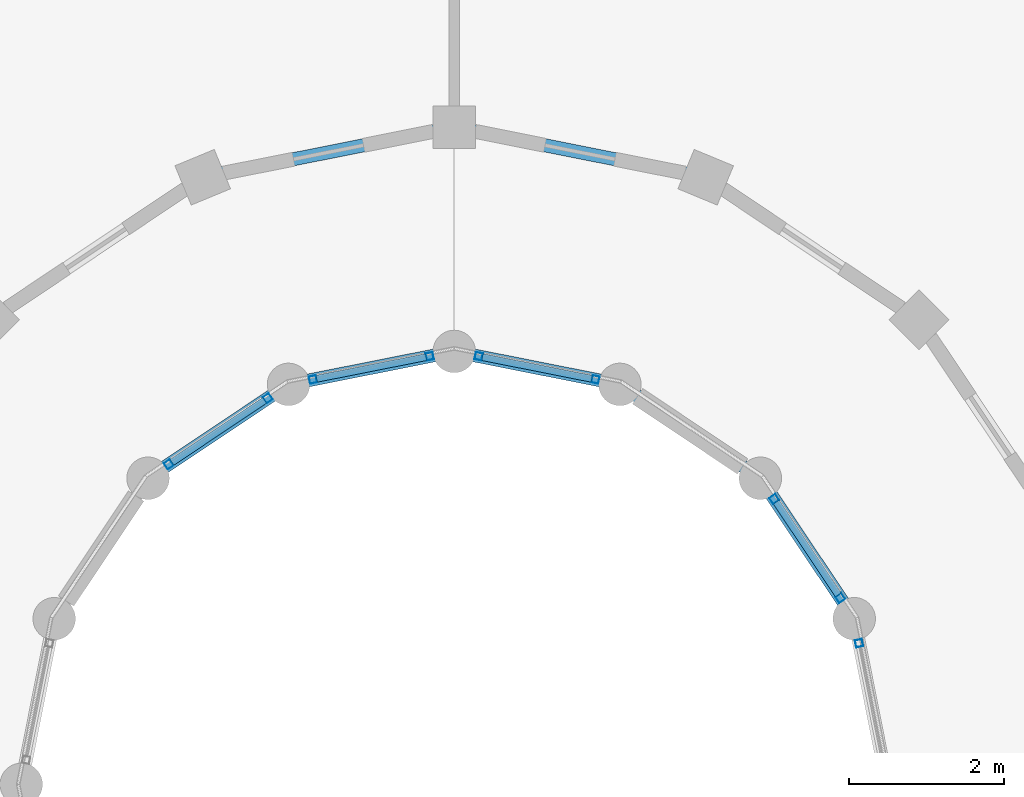
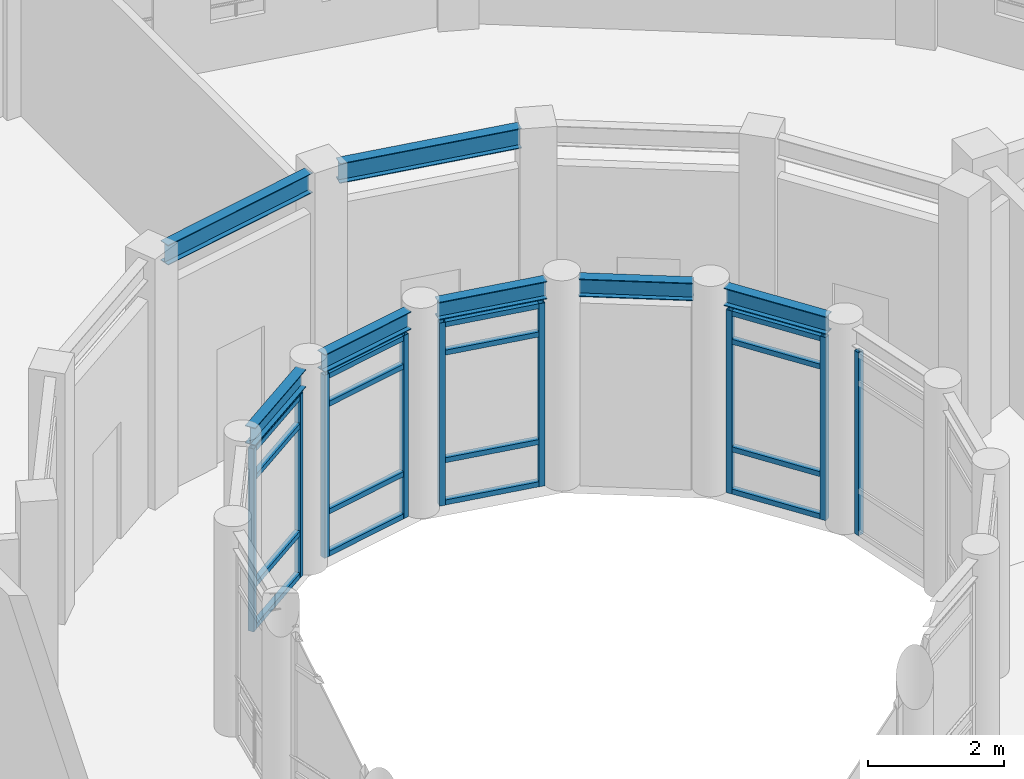
# One storey, part 79 of 149: 25 members, 7 beams, 5 elements without a shape of their own.
"""IFC4 building model written with IfcOpenShell, lengths in metres."""

from ifc_helpers import new_model, si_unit, direction, frame, origin, origin_2d, place, context, subcontext, project, spatial, hollow_rectangle, i_section, extrude, material, material_profile, profile_set, type_object, element, aggregate, save


model = new_model("IFC4")

# Units and contexts
model_context = context("Model", 3, precision=1e-05, world=origin(), true_north=direction((0.0, 1.0)))
body_context = subcontext(model_context, "Body", "Model", "MODEL_VIEW")
ifc_project = project(units=[si_unit("LENGTHUNIT", "METRE"), si_unit("AREAUNIT", "SQUARE_METRE"), si_unit("VOLUMEUNIT", "CUBIC_METRE"), si_unit("PLANEANGLEUNIT", "RADIAN"), si_unit("MASSUNIT", "GRAM", prefix="KILO")], contexts=[model_context])

# Site, building, storey
site_placement = place(None, origin())
site = spatial("IfcSite", under=ifc_project, at=site_placement, CompositionType="ELEMENT")
building_placement = place(site_placement, origin())
building = spatial("IfcBuilding", under=site, at=building_placement, Name="Celadon Cloister-Ring School", CompositionType="ELEMENT")
storey_placement = place(building_placement, frame((0.0, 0.0, 12.5)))
storey = spatial("IfcBuildingStorey", under=building, at=storey_placement, Name="L03", CompositionType="ELEMENT", Elevation=12.5)

# Curtain wall, member
ifc_material_1 = material(Name="Aluminium EN AW-6063 T6", Category="aluminium")
curtain_wall_type = type_object("IfcCurtainWallType", Name="CW-05", PredefinedType="USERDEFINED", material=ifc_material_1)
curtain_wall_1_placement = place(storey_placement, origin())
curtain_wall_1 = element("IfcCurtainWall", 1, at=curtain_wall_1_placement, inside=storey, type_object=curtain_wall_type, Name="Curtain Wall 0115", ObjectType="CURTAIN WALL", PredefinedType="USERDEFINED")
ifc_material_2 = material(Name="Aluminium EN AW-6063 T6", Category="aluminium")
ifc_material_profile_1 = material_profile(ifc_material_2, hollow_rectangle(XDim=0.094970703125, YDim=0.094970703125, WallThickness=0.00390625, at=origin_2d()), Name="RHS95X95X4")
ifc_profile_set_1 = profile_set([ifc_material_profile_1], Name="Aluminium EN AW-6063 T6")
member_type_1 = type_object("IfcMemberType", Name="CM-02", PredefinedType="MULLION", material=ifc_profile_set_1)
member_1_placement = place(storey_placement, frame((25.437255859375, 98.826416015625, 0.0), z_axis=(0.0, 0.0, 1.0), x_axis=(-0.980885435464, -0.194586131301, 0.0)))
member_1 = element("IfcMember", 2, at=member_1_placement, type_object=member_type_1, Name="CW-05 mullion 2", PredefinedType="MULLION", context=body_context, shape_type="SweptSolid", body=[
    extrude(hollow_rectangle(XDim=0.094970703125, YDim=0.094970703125, WallThickness=0.00390625, at=origin_2d()), origin(), (0.0, 0.0, 1.0), 3.27490234375),
])
aggregate(curtain_wall_1, [member_1])

# Curtain wall, members
curtain_wall_2_placement = place(storey_placement, origin())
curtain_wall_2 = element("IfcCurtainWall", 3, at=curtain_wall_2_placement, inside=storey, type_object=curtain_wall_type, Name="Curtain Wall 0116", ObjectType="CURTAIN WALL", PredefinedType="USERDEFINED")
member_2_placement = place(storey_placement, frame((25.194580078125, 99.411376953125, 0.0), z_axis=(0.0, 0.0, 1.0), x_axis=(-0.831485091394, -0.555547066224, 0.0)))
member_2 = element("IfcMember", 4, at=member_2_placement, type_object=member_type_1, Name="CW-05 mullion 1", PredefinedType="MULLION", context=body_context, shape_type="SweptSolid", body=[
    extrude(hollow_rectangle(XDim=0.094970703125, YDim=0.094970703125, WallThickness=0.00390625, at=origin_2d()), origin(), (0.0, 0.0, 1.0), 3.27490234375),
])
member_3_placement = place(storey_placement, frame((24.33935546875, 100.69140625, 0.0), z_axis=(0.0, 0.0, 1.0), x_axis=(-0.831485091394, -0.555547066224, 0.0)))
member_3 = element("IfcMember", 5, at=member_3_placement, type_object=member_type_1, Name="CW-05 mullion 2", PredefinedType="MULLION", context=body_context, shape_type="SweptSolid", body=[
    extrude(hollow_rectangle(XDim=0.094970703125, YDim=0.094970703125, WallThickness=0.00390625, at=origin_2d()), origin(), (0.0, 0.0, 1.0), 3.27490234375),
])

curtain_wall_3_placement = place(storey_placement, origin())
curtain_wall_3 = element("IfcCurtainWall", 6, at=curtain_wall_3_placement, inside=storey, type_object=curtain_wall_type, Name="Curtain Wall 0117", ObjectType="CURTAIN WALL", PredefinedType="USERDEFINED")
member_4_placement = place(storey_placement, frame((22.0263671875, 102.2373046875, 0.0), z_axis=(0.0, 0.0, 1.0), x_axis=(-0.194586131301, -0.980885435464, 0.0)))
member_4 = element("IfcMember", 7, at=member_4_placement, type_object=member_type_1, Name="CW-05 mullion 1", PredefinedType="MULLION", context=body_context, shape_type="SweptSolid", body=[
    extrude(hollow_rectangle(XDim=0.094970703125, YDim=0.094970703125, WallThickness=0.00390625, at=origin_2d()), origin(), (0.0, 0.0, 1.0), 3.27490234375),
])
member_5_placement = place(storey_placement, frame((20.5166015625, 102.536865234375, 0.0), z_axis=(0.0, 0.0, 1.0), x_axis=(-0.194586131301, -0.980885435464, 0.0)))
member_5 = element("IfcMember", 8, at=member_5_placement, type_object=member_type_1, Name="CW-05 mullion 2", PredefinedType="MULLION", context=body_context, shape_type="SweptSolid", body=[
    extrude(hollow_rectangle(XDim=0.094970703125, YDim=0.094970703125, WallThickness=0.00390625, at=origin_2d()), origin(), (0.0, 0.0, 1.0), 3.27490234375),
])

curtain_wall_4_placement = place(storey_placement, origin())
curtain_wall_4 = element("IfcCurtainWall", 9, at=curtain_wall_4_placement, inside=storey, type_object=curtain_wall_type, Name="Curtain Wall 0118", ObjectType="CURTAIN WALL", PredefinedType="USERDEFINED")
member_6_placement = place(storey_placement, frame((19.88330078125, 102.536865234375, 0.0), z_axis=(0.0, 0.0, 1.0), x_axis=(0.194586131301, -0.980885435464, 0.0)))
member_6 = element("IfcMember", 10, at=member_6_placement, type_object=member_type_1, Name="CW-05 mullion 1", PredefinedType="MULLION", context=body_context, shape_type="SweptSolid", body=[
    extrude(hollow_rectangle(XDim=0.094970703125, YDim=0.094970703125, WallThickness=0.00390625, at=origin_2d()), origin(), (0.0, 0.0, 1.0), 3.27490234375),
])
member_7_placement = place(storey_placement, frame((18.37353515625, 102.2373046875, 0.0), z_axis=(0.0, 0.0, 1.0), x_axis=(0.194586131301, -0.980885435464, 0.0)))
member_7 = element("IfcMember", 11, at=member_7_placement, type_object=member_type_1, Name="CW-05 mullion 2", PredefinedType="MULLION", context=body_context, shape_type="SweptSolid", body=[
    extrude(hollow_rectangle(XDim=0.094970703125, YDim=0.094970703125, WallThickness=0.00390625, at=origin_2d()), origin(), (0.0, 0.0, 1.0), 3.27490234375),
])

curtain_wall_5_placement = place(storey_placement, origin())
curtain_wall_5 = element("IfcCurtainWall", 12, at=curtain_wall_5_placement, inside=storey, type_object=curtain_wall_type, Name="Curtain Wall 0119", ObjectType="CURTAIN WALL", PredefinedType="USERDEFINED")
member_8_placement = place(storey_placement, frame((17.78857421875, 101.99462890625, 0.0), z_axis=(0.0, 0.0, 1.0), x_axis=(0.555547066224, -0.831485091394, 0.0)))
member_8 = element("IfcMember", 13, at=member_8_placement, type_object=member_type_1, Name="CW-05 mullion 1", PredefinedType="MULLION", context=body_context, shape_type="SweptSolid", body=[
    extrude(hollow_rectangle(XDim=0.094970703125, YDim=0.094970703125, WallThickness=0.00390625, at=origin_2d()), origin(), (0.0, 0.0, 1.0), 3.27490234375),
])
member_9_placement = place(storey_placement, frame((16.508544921875, 101.139404296875, 0.0), z_axis=(0.0, 0.0, 1.0), x_axis=(0.555547066224, -0.831485091394, 0.0)))
member_9 = element("IfcMember", 14, at=member_9_placement, type_object=member_type_1, Name="CW-05 mullion 2", PredefinedType="MULLION", context=body_context, shape_type="SweptSolid", body=[
    extrude(hollow_rectangle(XDim=0.094970703125, YDim=0.094970703125, WallThickness=0.00390625, at=origin_2d()), origin(), (0.0, 0.0, 1.0), 3.27490234375),
])

# Member
ifc_material_3 = material(Name="Aluminium EN AW-6063 T6", Category="aluminium")
ifc_material_profile_2 = material_profile(ifc_material_3, hollow_rectangle(XDim=0.090087890625, YDim=0.090087890625, WallThickness=0.00390625, at=origin_2d()), Name="RHS90X90X4")
ifc_profile_set_2 = profile_set([ifc_material_profile_2], Name="Aluminium EN AW-6063 T6")
member_type_2 = type_object("IfcMemberType", Name="CTM-02", PredefinedType="USERDEFINED", material=ifc_profile_set_2)
member_10_placement = place(storey_placement, frame((25.168212890625, 99.450927734375, 0.044921875), z_axis=(-0.555518951009, 0.831503875559, 0.0), x_axis=(-0.831503875559, -0.555518951009, 0.0)))
member_10 = element("IfcMember", 15, at=member_10_placement, type_object=member_type_2, Name="CW-05 transom 1.1", ObjectType="TRANSOM", PredefinedType="USERDEFINED", context=body_context, shape_type="SweptSolid", body=[
    extrude(hollow_rectangle(XDim=0.090087890625, YDim=0.090087890625, WallThickness=0.00390625, at=origin_2d()), origin(), (0.0, 0.0, 1.0), 1.444580078125),
])

member_11_placement = place(storey_placement, frame((25.168212890625, 99.450927734375, 0.800048828125), z_axis=(-0.555518951009, 0.831503875559, 0.0), x_axis=(-0.831503875559, -0.555518951009, 0.0)))
member_11 = element("IfcMember", 16, at=member_11_placement, type_object=member_type_2, Name="CW-05 transom 1.2", ObjectType="TRANSOM", PredefinedType="USERDEFINED", context=body_context, shape_type="SweptSolid", body=[
    extrude(hollow_rectangle(XDim=0.090087890625, YDim=0.090087890625, WallThickness=0.00390625, at=origin_2d()), origin(), (0.0, 0.0, 1.0), 1.444580078125),
])

member_12_placement = place(storey_placement, frame((25.168212890625, 99.450927734375, 2.72509765625), z_axis=(-0.555518951009, 0.831503875559, 0.0), x_axis=(-0.831503875559, -0.555518951009, 0.0)))
member_12 = element("IfcMember", 17, at=member_12_placement, type_object=member_type_2, Name="CW-05 transom 1.3", ObjectType="TRANSOM", PredefinedType="USERDEFINED", context=body_context, shape_type="SweptSolid", body=[
    extrude(hollow_rectangle(XDim=0.090087890625, YDim=0.090087890625, WallThickness=0.00390625, at=origin_2d()), origin(), (0.0, 0.0, 1.0), 1.444580078125),
])

member_13_placement = place(storey_placement, frame((25.168212890625, 99.450927734375, 3.22998046875), z_axis=(-0.555518951009, 0.831503875559, 0.0), x_axis=(-0.831503875559, -0.555518951009, 0.0)))
member_13 = element("IfcMember", 18, at=member_13_placement, type_object=member_type_2, Name="CW-05 transom 1.4", ObjectType="TRANSOM", PredefinedType="USERDEFINED", context=body_context, shape_type="SweptSolid", body=[
    extrude(hollow_rectangle(XDim=0.090087890625, YDim=0.090087890625, WallThickness=0.00390625, at=origin_2d()), origin(), (0.0, 0.0, 1.0), 1.444580078125),
])

aggregate(curtain_wall_2, [member_2, member_3, member_10, member_11, member_12, member_13])

member_14_placement = place(storey_placement, frame((21.979736328125, 102.24658203125, 0.044921875), z_axis=(-0.980885093257, 0.194587856315, 0.0), x_axis=(-0.194587856315, -0.980885093257, 0.0)))
member_14 = element("IfcMember", 19, at=member_14_placement, type_object=member_type_2, Name="CW-05 transom 1.1", ObjectType="TRANSOM", PredefinedType="USERDEFINED", context=body_context, shape_type="SweptSolid", body=[
    extrude(hollow_rectangle(XDim=0.090087890625, YDim=0.090087890625, WallThickness=0.00390625, at=origin_2d()), origin(), (0.0, 0.0, 1.0), 1.444091796875),
])

member_15_placement = place(storey_placement, frame((21.979736328125, 102.24658203125, 0.800048828125), z_axis=(-0.980885093257, 0.194587856315, 0.0), x_axis=(-0.194587856315, -0.980885093257, 0.0)))
member_15 = element("IfcMember", 20, at=member_15_placement, type_object=member_type_2, Name="CW-05 transom 1.2", ObjectType="TRANSOM", PredefinedType="USERDEFINED", context=body_context, shape_type="SweptSolid", body=[
    extrude(hollow_rectangle(XDim=0.090087890625, YDim=0.090087890625, WallThickness=0.00390625, at=origin_2d()), origin(), (0.0, 0.0, 1.0), 1.444091796875),
])

member_16_placement = place(storey_placement, frame((21.979736328125, 102.24658203125, 2.72509765625), z_axis=(-0.980885093257, 0.194587856315, 0.0), x_axis=(-0.194587856315, -0.980885093257, 0.0)))
member_16 = element("IfcMember", 21, at=member_16_placement, type_object=member_type_2, Name="CW-05 transom 1.3", ObjectType="TRANSOM", PredefinedType="USERDEFINED", context=body_context, shape_type="SweptSolid", body=[
    extrude(hollow_rectangle(XDim=0.090087890625, YDim=0.090087890625, WallThickness=0.00390625, at=origin_2d()), origin(), (0.0, 0.0, 1.0), 1.444091796875),
])

member_17_placement = place(storey_placement, frame((21.979736328125, 102.24658203125, 3.22998046875), z_axis=(-0.980885093257, 0.194587856315, 0.0), x_axis=(-0.194587856315, -0.980885093257, 0.0)))
member_17 = element("IfcMember", 22, at=member_17_placement, type_object=member_type_2, Name="CW-05 transom 1.4", ObjectType="TRANSOM", PredefinedType="USERDEFINED", context=body_context, shape_type="SweptSolid", body=[
    extrude(hollow_rectangle(XDim=0.090087890625, YDim=0.090087890625, WallThickness=0.00390625, at=origin_2d()), origin(), (0.0, 0.0, 1.0), 1.444091796875),
])

aggregate(curtain_wall_3, [member_4, member_5, member_14, member_15, member_16, member_17])

member_18_placement = place(storey_placement, frame((19.8369140625, 102.527587890625, 0.044921875), z_axis=(-0.98089149302, -0.194555593394, 0.0), x_axis=(0.194555593394, -0.98089149302, 0.0)))
member_18 = element("IfcMember", 23, at=member_18_placement, type_object=member_type_2, Name="CW-05 transom 1.1", ObjectType="TRANSOM", PredefinedType="USERDEFINED", context=body_context, shape_type="SweptSolid", body=[
    extrude(hollow_rectangle(XDim=0.090087890625, YDim=0.090087890625, WallThickness=0.00390625, at=origin_2d()), origin(), (0.0, 0.0, 1.0), 1.4443359375),
])

member_19_placement = place(storey_placement, frame((19.8369140625, 102.527587890625, 0.800048828125), z_axis=(-0.98089149302, -0.194555593394, 0.0), x_axis=(0.194555593394, -0.98089149302, 0.0)))
member_19 = element("IfcMember", 24, at=member_19_placement, type_object=member_type_2, Name="CW-05 transom 1.2", ObjectType="TRANSOM", PredefinedType="USERDEFINED", context=body_context, shape_type="SweptSolid", body=[
    extrude(hollow_rectangle(XDim=0.090087890625, YDim=0.090087890625, WallThickness=0.00390625, at=origin_2d()), origin(), (0.0, 0.0, 1.0), 1.4443359375),
])

member_20_placement = place(storey_placement, frame((19.8369140625, 102.527587890625, 2.72509765625), z_axis=(-0.98089149302, -0.194555593394, 0.0), x_axis=(0.194555593394, -0.98089149302, 0.0)))
member_20 = element("IfcMember", 25, at=member_20_placement, type_object=member_type_2, Name="CW-05 transom 1.3", ObjectType="TRANSOM", PredefinedType="USERDEFINED", context=body_context, shape_type="SweptSolid", body=[
    extrude(hollow_rectangle(XDim=0.090087890625, YDim=0.090087890625, WallThickness=0.00390625, at=origin_2d()), origin(), (0.0, 0.0, 1.0), 1.4443359375),
])

member_21_placement = place(storey_placement, frame((19.8369140625, 102.527587890625, 3.22998046875), z_axis=(-0.98089149302, -0.194555593394, 0.0), x_axis=(0.194555593394, -0.98089149302, 0.0)))
member_21 = element("IfcMember", 26, at=member_21_placement, type_object=member_type_2, Name="CW-05 transom 1.4", ObjectType="TRANSOM", PredefinedType="USERDEFINED", context=body_context, shape_type="SweptSolid", body=[
    extrude(hollow_rectangle(XDim=0.090087890625, YDim=0.090087890625, WallThickness=0.00390625, at=origin_2d()), origin(), (0.0, 0.0, 1.0), 1.4443359375),
])

aggregate(curtain_wall_4, [member_6, member_7, member_18, member_19, member_20, member_21])

member_22_placement = place(storey_placement, frame((17.7490234375, 101.96826171875, 0.044921875), z_axis=(-0.831451709445, -0.555597025604, 0.0), x_axis=(0.555597025604, -0.831451709445, 0.0)))
member_22 = element("IfcMember", 27, at=member_22_placement, type_object=member_type_2, Name="CW-05 transom 1.1", ObjectType="TRANSOM", PredefinedType="USERDEFINED", context=body_context, shape_type="SweptSolid", body=[
    extrude(hollow_rectangle(XDim=0.090087890625, YDim=0.090087890625, WallThickness=0.00390625, at=origin_2d()), origin(), (0.0, 0.0, 1.0), 1.4443359375),
])

member_23_placement = place(storey_placement, frame((17.7490234375, 101.96826171875, 0.800048828125), z_axis=(-0.831451709445, -0.555597025604, 0.0), x_axis=(0.555597025604, -0.831451709445, 0.0)))
member_23 = element("IfcMember", 28, at=member_23_placement, type_object=member_type_2, Name="CW-05 transom 1.2", ObjectType="TRANSOM", PredefinedType="USERDEFINED", context=body_context, shape_type="SweptSolid", body=[
    extrude(hollow_rectangle(XDim=0.090087890625, YDim=0.090087890625, WallThickness=0.00390625, at=origin_2d()), origin(), (0.0, 0.0, 1.0), 1.4443359375),
])

member_24_placement = place(storey_placement, frame((17.7490234375, 101.96826171875, 2.72509765625), z_axis=(-0.831451709445, -0.555597025604, 0.0), x_axis=(0.555597025604, -0.831451709445, 0.0)))
member_24 = element("IfcMember", 29, at=member_24_placement, type_object=member_type_2, Name="CW-05 transom 1.3", ObjectType="TRANSOM", PredefinedType="USERDEFINED", context=body_context, shape_type="SweptSolid", body=[
    extrude(hollow_rectangle(XDim=0.090087890625, YDim=0.090087890625, WallThickness=0.00390625, at=origin_2d()), origin(), (0.0, 0.0, 1.0), 1.4443359375),
])

member_25_placement = place(storey_placement, frame((17.7490234375, 101.96826171875, 3.22998046875), z_axis=(-0.831451709445, -0.555597025604, 0.0), x_axis=(0.555597025604, -0.831451709445, 0.0)))
member_25 = element("IfcMember", 30, at=member_25_placement, type_object=member_type_2, Name="CW-05 transom 1.4", ObjectType="TRANSOM", PredefinedType="USERDEFINED", context=body_context, shape_type="SweptSolid", body=[
    extrude(hollow_rectangle(XDim=0.090087890625, YDim=0.090087890625, WallThickness=0.00390625, at=origin_2d()), origin(), (0.0, 0.0, 1.0), 1.4443359375),
])

aggregate(curtain_wall_5, [member_8, member_9, member_22, member_23, member_24, member_25])

# Beams
ifc_material_4 = material(Name="Structural steel S355JR", Category="steel")
ifc_material_profile_3 = material_profile(ifc_material_4, i_section(OverallWidth=0.1708984375, OverallDepth=0.35498046875, WebThickness=0.007080078125, FlangeThickness=0.01171875, at=origin_2d()), Name="W360X51")
ifc_profile_set_3 = profile_set([ifc_material_profile_3], Name="Structural steel S355JR")
beam_type_1 = type_object("IfcBeamType", Name="GT-08", PredefinedType="USERDEFINED", material=ifc_profile_set_3)
beam_1_placement = place(storey_placement, frame((23.2080078125, 104.902099609375, 4.222900390625), z_axis=(-0.980836510336, 0.19483259479, 0.0), x_axis=(-0.19483259479, -0.980836510336, 0.0)))
element("IfcBeam", 31, at=beam_1_placement, inside=storey, type_object=beam_type_1, Name="Beam 0817", ObjectType="GIRDER", PredefinedType="USERDEFINED", context=body_context, shape_type="SweptSolid", body=[
    extrude(i_section(OverallWidth=0.1708984375, OverallDepth=0.35498046875, WebThickness=0.007080078125, FlangeThickness=0.01171875, at=origin_2d()), origin(), (0.0, 0.0, 1.0), 2.81689453125),
])
beam_2_placement = place(storey_placement, frame((19.955078125, 105.450927734375, 4.222900390625), z_axis=(-0.98083979986, -0.194816033759, 0.0), x_axis=(0.194816033759, -0.98083979986, 0.0)))
element("IfcBeam", 32, at=beam_2_placement, inside=storey, type_object=beam_type_1, Name="Beam 0820", ObjectType="GIRDER", PredefinedType="USERDEFINED", context=body_context, shape_type="SweptSolid", body=[
    extrude(i_section(OverallWidth=0.1708984375, OverallDepth=0.35498046875, WebThickness=0.007080078125, FlangeThickness=0.01171875, at=origin_2d()), origin(), (0.0, 0.0, 1.0), 2.817138671875),
])
ifc_material_5 = material(Name="Structural steel S355JR", Category="steel")
ifc_material_profile_4 = material_profile(ifc_material_5, i_section(OverallWidth=0.1669921875, OverallDepth=0.31689453125, WebThickness=0.007568359375, FlangeThickness=0.01318359375, at=origin_2d()), Name="W310X52")
ifc_profile_set_4 = profile_set([ifc_material_profile_4], Name="Structural steel S355JR")
beam_type_2 = type_object("IfcBeamType", Name="SP-05", PredefinedType="SPANDREL", material=ifc_profile_set_4)
beam_3_placement = place(storey_placement, frame((25.235107421875, 99.35107421875, 3.51708984375), z_axis=(-0.555569328961, 0.831470216374, 0.0), x_axis=(-0.831470216374, -0.555569328961, 0.0)))
element("IfcBeam", 33, at=beam_3_placement, inside=storey, type_object=beam_type_2, Name="Beam 0812", PredefinedType="SPANDREL", context=body_context, shape_type="SweptSolid", body=[
    extrude(i_section(OverallWidth=0.1669921875, OverallDepth=0.31689453125, WebThickness=0.007568359375, FlangeThickness=0.01318359375, at=origin_2d()), origin(), (0.0, 0.0, 1.0), 1.684814453125),
])
beam_4_placement = place(storey_placement, frame((23.951904296875, 101.09912109375, 3.51708984375), z_axis=(-0.831537153477, 0.555469137204, 0.0), x_axis=(-0.555469137204, -0.831537153477, 0.0)))
element("IfcBeam", 34, at=beam_4_placement, inside=storey, type_object=beam_type_2, Name="Beam 0815", PredefinedType="SPANDREL", context=body_context, shape_type="SweptSolid", body=[
    extrude(i_section(OverallWidth=0.1669921875, OverallDepth=0.31689453125, WebThickness=0.007568359375, FlangeThickness=0.01318359375, at=origin_2d()), origin(), (0.0, 0.0, 1.0), 1.6845703125),
])
beam_5_placement = place(storey_placement, frame((22.097900390625, 102.222900390625, 3.51708984375), z_axis=(-0.980858307367, 0.194722830887, 0.0), x_axis=(-0.194722830887, -0.980858307367, 0.0)))
element("IfcBeam", 35, at=beam_5_placement, inside=storey, type_object=beam_type_2, Name="Beam 0818", PredefinedType="SPANDREL", context=body_context, shape_type="SweptSolid", body=[
    extrude(i_section(OverallWidth=0.1669921875, OverallDepth=0.31689453125, WebThickness=0.007568359375, FlangeThickness=0.01318359375, at=origin_2d()), origin(), (0.0, 0.0, 1.0), 1.68505859375),
])
beam_6_placement = place(storey_placement, frame((19.955078125, 102.551025390625, 3.51708984375), z_axis=(-0.980863799725, -0.194695162728, 0.0), x_axis=(0.194695162728, -0.980863799725, 0.0)))
element("IfcBeam", 36, at=beam_6_placement, inside=storey, type_object=beam_type_2, Name="Beam 0821", PredefinedType="SPANDREL", context=body_context, shape_type="SweptSolid", body=[
    extrude(i_section(OverallWidth=0.1669921875, OverallDepth=0.31689453125, WebThickness=0.007568359375, FlangeThickness=0.01318359375, at=origin_2d()), origin(), (0.0, 0.0, 1.0), 1.685302734375),
])
beam_7_placement = place(storey_placement, frame((17.84912109375, 102.034912109375, 3.51708984375), z_axis=(-0.831581859135, -0.555402207016, 0.0), x_axis=(0.555402207016, -0.831581859135, 0.0)))
element("IfcBeam", 37, at=beam_7_placement, inside=storey, type_object=beam_type_2, Name="Beam 0824", PredefinedType="SPANDREL", context=body_context, shape_type="SweptSolid", body=[
    extrude(i_section(OverallWidth=0.1669921875, OverallDepth=0.31689453125, WebThickness=0.007568359375, FlangeThickness=0.01318359375, at=origin_2d()), origin(), (0.0, 0.0, 1.0), 1.684814453125),
])

save(model, "model.ifc")
